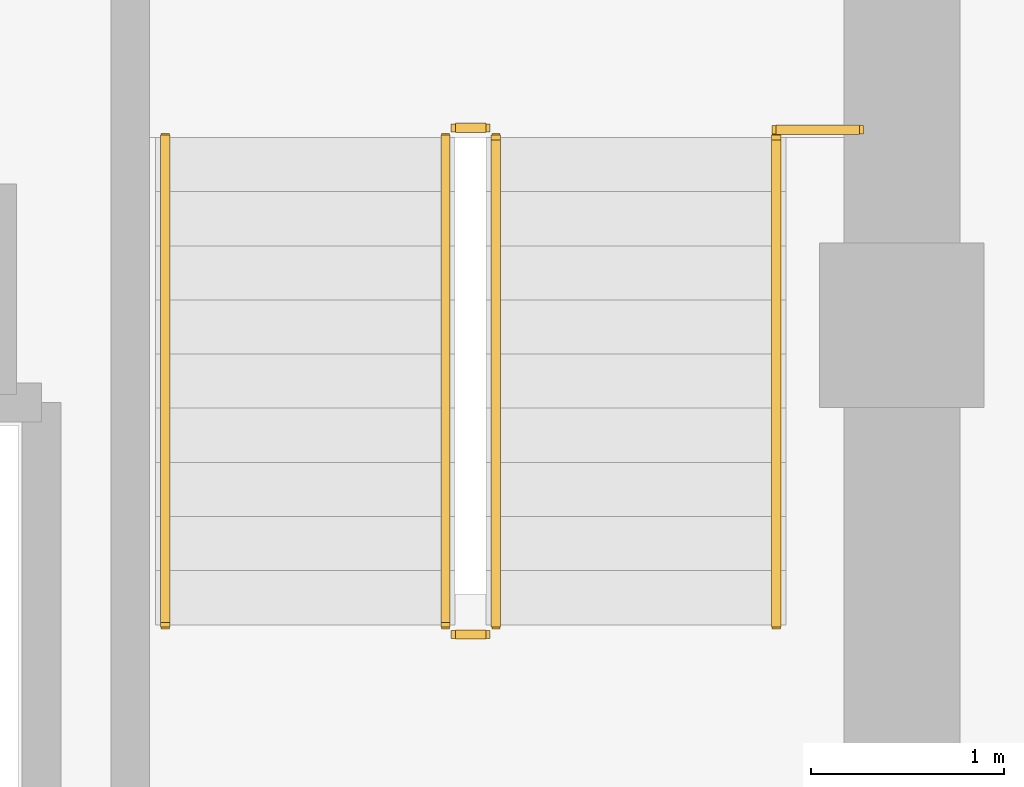
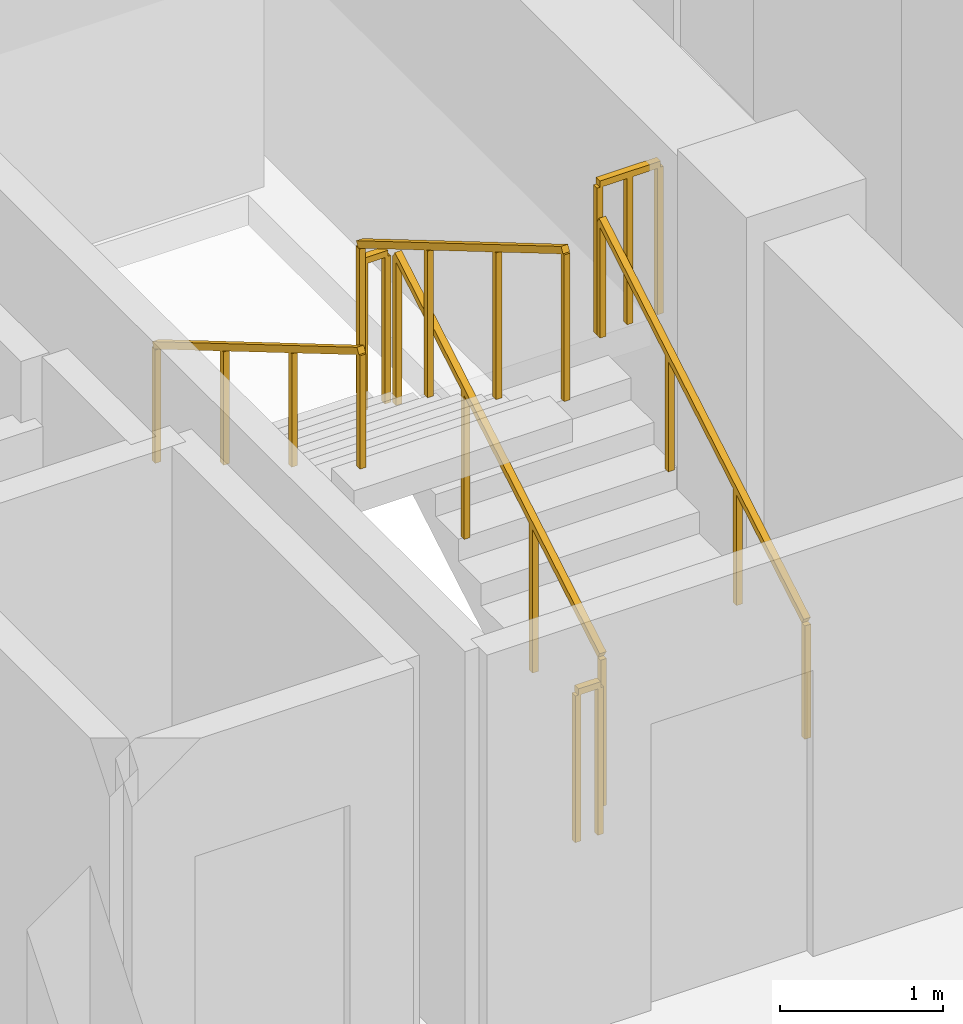
# One storey, part 27 of 28: 7 railings.
"""IFC4 building model written with IfcOpenShell, lengths in metres."""

from ifc_helpers import new_model, si_unit, direction, frame, origin, origin_2d, place, context, subcontext, project, spatial, rectangle, extrude, material, type_object, element, save


model = new_model("IFC4")

# Units and contexts
model_context = context("Model", 3, precision=1e-05, world=origin(), true_north=direction((0.0, 1.0)))
body_context = subcontext(model_context, "Body", "Model", "MODEL_VIEW")
ifc_project = project(units=[si_unit("LENGTHUNIT", "METRE"), si_unit("AREAUNIT", "SQUARE_METRE"), si_unit("VOLUMEUNIT", "CUBIC_METRE"), si_unit("PLANEANGLEUNIT", "RADIAN"), si_unit("MASSUNIT", "GRAM", prefix="KILO")], contexts=[model_context])

# Site, building, storey
site_placement = place(None, origin())
site = spatial("IfcSite", under=ifc_project, at=site_placement, CompositionType="ELEMENT")
building_placement = place(site_placement, origin())
building = spatial("IfcBuilding", under=site, at=building_placement, Name="Zarnakvel Exchange Tower", CompositionType="ELEMENT")
storey_placement = place(building_placement, frame((0.0, 0.0, 261.699951171875)))
storey = spatial("IfcBuildingStorey", under=building, at=storey_placement, Name="L74", CompositionType="ELEMENT", Elevation=261.699951171875)

# Railings
ifc_material_1 = material(Name="Brushed Stainless Steel", Category="steel")
railing_type_1 = type_object("IfcRailingType", Name="HR-01", PredefinedType="HANDRAIL", material=ifc_material_1)
railing_1_placement = place(storey_placement, frame((13.75, 5.050048828125, 0.1650390625)))
element("IfcRailing", 1, at=railing_1_placement, inside=storey, type_object=railing_type_1, Name="L74 ST-02 stair handrail 1", PredefinedType="HANDRAIL", context=body_context, shape_type="SweptSolid", body=[
    extrude(rectangle(XDim=0.048095703125, YDim=0.048095703125, at=origin_2d()), frame((0.0, 0.0, 0.8759765625), z_axis=(0.0, 0.86152411907, 0.507716645641), x_axis=(-1.0, 0.0, 0.0)), (0.0, 0.0, 1.0), 2.925048828125),
    extrude(rectangle(XDim=0.0419921875, YDim=0.0419921875, at=origin_2d()), origin(), (0.0, 0.0, 1.0), 0.851806640625),
    extrude(rectangle(XDim=0.0419921875, YDim=0.0419921875, at=origin_2d()), frame((0.0, 0.840087890625, 0.4951171875)), (0.0, 0.0, 1.0), 0.851806640625),
    extrude(rectangle(XDim=0.0419921875, YDim=0.0419921875, at=origin_2d()), frame((0.0, 1.679931640625, 0.989990234375)), (0.0, 0.0, 1.0), 0.851806640625),
    extrude(rectangle(XDim=0.0419921875, YDim=0.0419921875, at=origin_2d()), frame((0.0, 2.52001953125, 1.485107421875)), (0.0, 0.0, 1.0), 0.851806640625),
])
railing_2_placement = place(storey_placement, frame((10.590087890625, 7.570068359375, 1.81494140625)))
element("IfcRailing", 2, at=railing_2_placement, inside=storey, type_object=railing_type_1, Name="L74 ST-02 stair handrail 2", PredefinedType="HANDRAIL", context=body_context, shape_type="SweptSolid", body=[
    extrude(rectangle(XDim=0.048095703125, YDim=0.048095703125, at=origin_2d()), frame((0.0, 0.0, 0.8759765625), z_axis=(0.0, -0.86152411907, 0.507716645641), x_axis=(1.0, 0.0, 0.0)), (0.0, 0.0, 1.0), 2.925048828125),
    extrude(rectangle(XDim=0.0419921875, YDim=0.0419921875, at=origin_2d()), origin(), (0.0, 0.0, 1.0), 0.851806640625),
    extrude(rectangle(XDim=0.0419921875, YDim=0.0419921875, at=origin_2d()), frame((0.0, -0.840087890625, 0.4951171875)), (0.0, 0.0, 1.0), 0.851806640625),
    extrude(rectangle(XDim=0.0419921875, YDim=0.0419921875, at=origin_2d()), frame((0.0, -1.679931640625, 0.989990234375)), (0.0, 0.0, 1.0), 0.851806640625),
    extrude(rectangle(XDim=0.0419921875, YDim=0.0419921875, at=origin_2d()), frame((0.0, -2.52001953125, 1.485107421875)), (0.0, 0.0, 1.0), 0.851806640625),
])
ifc_material_2 = material(Name="Architectural Bronze Anodised Aluminium", Category="aluminium")
railing_type_2 = type_object("IfcRailingType", Name="SG-01", PredefinedType="GUARDRAIL", material=ifc_material_2)
railing_3_placement = place(storey_placement, frame((12.300048828125, 5.050048828125, 0.1650390625)))
element("IfcRailing", 3, at=railing_3_placement, inside=storey, type_object=railing_type_2, Name="L74 ST-02 stair guard 1", PredefinedType="GUARDRAIL", context=body_context, shape_type="SweptSolid", body=[
    extrude(rectangle(XDim=0.048095703125, YDim=0.048095703125, at=origin_2d()), frame((0.0, 0.0, 1.1259765625), z_axis=(0.0, 0.86152411907, 0.507716645641), x_axis=(-1.0, 0.0, 0.0)), (0.0, 0.0, 1.0), 2.925048828125),
    extrude(rectangle(XDim=0.0419921875, YDim=0.0419921875, at=origin_2d()), origin(), (0.0, 0.0, 1.0), 1.101806640625),
    extrude(rectangle(XDim=0.0419921875, YDim=0.0419921875, at=origin_2d()), frame((0.0, 0.840087890625, 0.4951171875)), (0.0, 0.0, 1.0), 1.101806640625),
    extrude(rectangle(XDim=0.0419921875, YDim=0.0419921875, at=origin_2d()), frame((0.0, 1.679931640625, 0.989990234375)), (0.0, 0.0, 1.0), 1.101806640625),
    extrude(rectangle(XDim=0.0419921875, YDim=0.0419921875, at=origin_2d()), frame((0.0, 2.52001953125, 1.485107421875)), (0.0, 0.0, 1.0), 1.101806640625),
])
railing_4_placement = place(storey_placement, frame((12.25, 7.6201171875, 1.650146484375)))
element("IfcRailing", 4, at=railing_4_placement, inside=storey, type_object=railing_type_2, Name="L74 ST-02 stair guard 2", PredefinedType="GUARDRAIL", context=body_context, shape_type="SweptSolid", body=[
    extrude(rectangle(XDim=0.048095703125, YDim=0.048095703125, at=origin_2d()), frame((0.0, 0.0, 1.1259765625), z_axis=(-1.0, 0.0, 0.0), x_axis=(0.0, -1.0, 0.0)), (0.0, 0.0, 1.0), 0.159912109375),
    extrude(rectangle(XDim=0.0419921875, YDim=0.0419921875, at=origin_2d()), origin(), (0.0, 0.0, 1.0), 1.101806640625),
    extrude(rectangle(XDim=0.0419921875, YDim=0.0419921875, at=origin_2d()), frame((-0.159912109375, 0.0, 0.0)), (0.0, 0.0, 1.0), 1.101806640625),
])
railing_5_placement = place(storey_placement, frame((12.0400390625, 7.570068359375, 1.81494140625)))
element("IfcRailing", 5, at=railing_5_placement, inside=storey, type_object=railing_type_2, Name="L74 ST-02 stair guard 3", PredefinedType="GUARDRAIL", context=body_context, shape_type="SweptSolid", body=[
    extrude(rectangle(XDim=0.048095703125, YDim=0.048095703125, at=origin_2d()), frame((0.0, 0.0, 1.1259765625), z_axis=(0.0, -0.86152411907, 0.507716645641), x_axis=(1.0, 0.0, 0.0)), (0.0, 0.0, 1.0), 2.925048828125),
    extrude(rectangle(XDim=0.0419921875, YDim=0.0419921875, at=origin_2d()), origin(), (0.0, 0.0, 1.0), 1.101806640625),
    extrude(rectangle(XDim=0.0419921875, YDim=0.0419921875, at=origin_2d()), frame((0.0, -0.840087890625, 0.4951171875)), (0.0, 0.0, 1.0), 1.101806640625),
    extrude(rectangle(XDim=0.0419921875, YDim=0.0419921875, at=origin_2d()), frame((0.0, -1.679931640625, 0.989990234375)), (0.0, 0.0, 1.0), 1.101806640625),
    extrude(rectangle(XDim=0.0419921875, YDim=0.0419921875, at=origin_2d()), frame((0.0, -2.52001953125, 1.485107421875)), (0.0, 0.0, 1.0), 1.101806640625),
])
railing_6_placement = place(storey_placement, frame((12.25, 5.0, 0.0)))
element("IfcRailing", 6, at=railing_6_placement, inside=storey, type_object=railing_type_2, Name="L74 ST-02 stair guard 4", PredefinedType="GUARDRAIL", context=body_context, shape_type="SweptSolid", body=[
    extrude(rectangle(XDim=0.048095703125, YDim=0.048095703125, at=origin_2d()), frame((0.0, 0.0, 1.1259765625), z_axis=(-1.0, 0.0, 0.0), x_axis=(0.0, -1.0, 0.0)), (0.0, 0.0, 1.0), 0.159912109375),
    extrude(rectangle(XDim=0.0419921875, YDim=0.0419921875, at=origin_2d()), origin(), (0.0, 0.0, 1.0), 1.101806640625),
    extrude(rectangle(XDim=0.0419921875, YDim=0.0419921875, at=origin_2d()), frame((-0.159912109375, 0.0, 0.0)), (0.0, 0.0, 1.0), 1.101806640625),
])
railing_7_placement = place(storey_placement, frame((13.75, 7.610107421875, 1.650146484375)))
element("IfcRailing", 7, at=railing_7_placement, inside=storey, type_object=railing_type_2, Name="L74 ST-02 Landing Slot Guardrail", PredefinedType="GUARDRAIL", context=body_context, shape_type="SweptSolid", body=[
    extrude(rectangle(XDim=0.048095703125, YDim=0.048095703125, at=origin_2d()), frame((0.0, 0.0, 1.1259765625), z_axis=(1.0, 0.0, 0.0), x_axis=(0.0, 1.0, 0.0)), (0.0, 0.0, 1.0), 0.429931640625),
    extrude(rectangle(XDim=0.0419921875, YDim=0.0419921875, at=origin_2d()), origin(), (0.0, 0.0, 1.0), 1.101806640625),
    extrude(rectangle(XDim=0.0419921875, YDim=0.0419921875, at=origin_2d()), frame((0.21484375, 0.0, 0.0)), (0.0, 0.0, 1.0), 1.101806640625),
    extrude(rectangle(XDim=0.0419921875, YDim=0.0419921875, at=origin_2d()), frame((0.429931640625, 0.0, 0.0)), (0.0, 0.0, 1.0), 1.101806640625),
])

save(model, "model.ifc")
